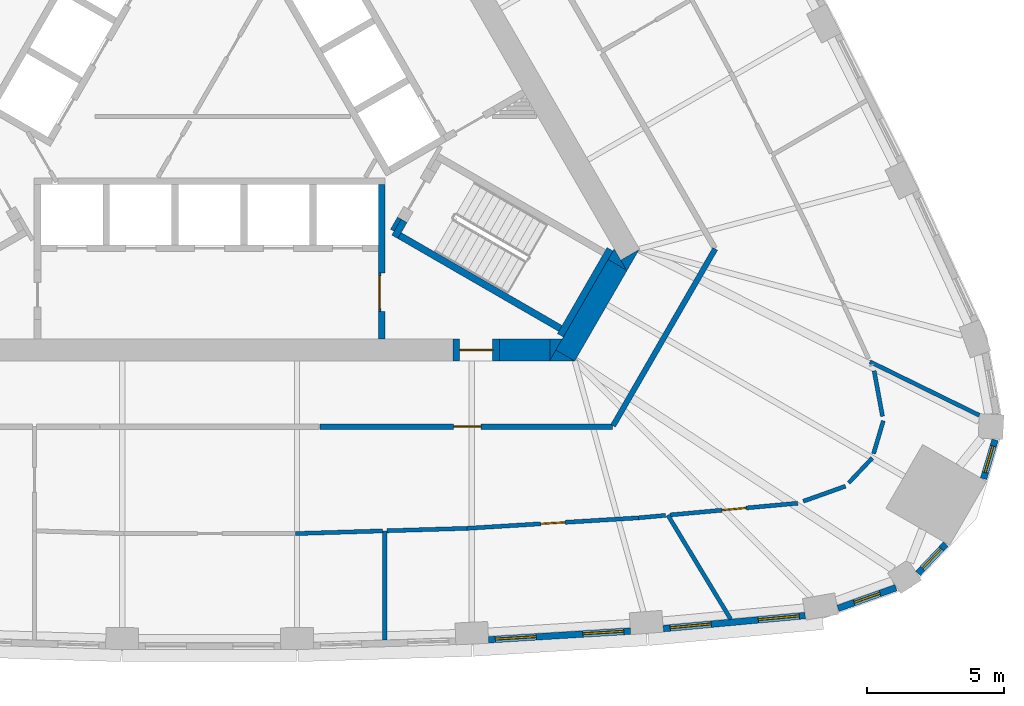
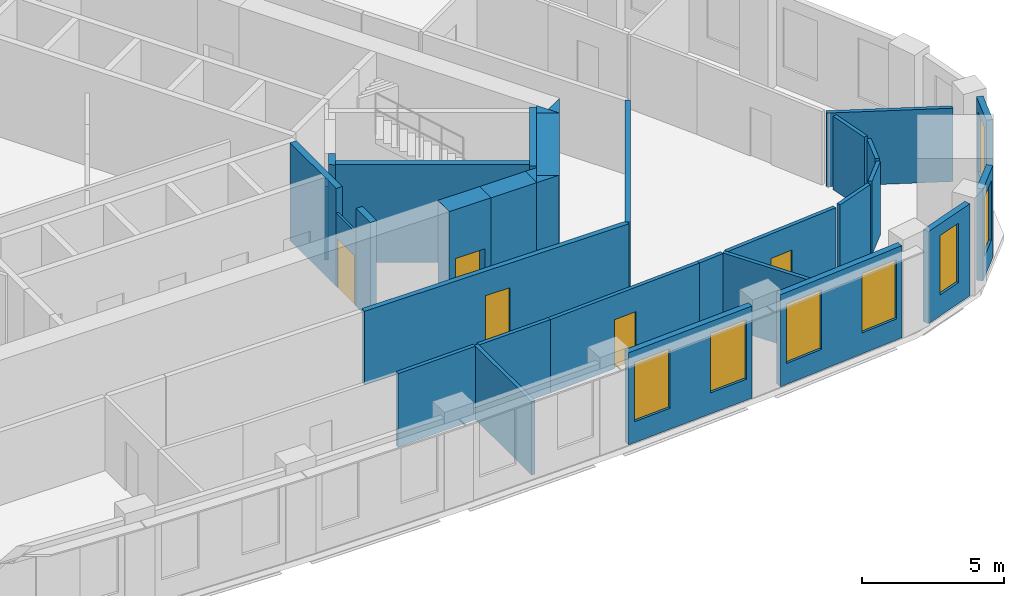
# One storey, part 6 of 11: 33 walls, 7 windows, 5 doors, 12 openings.
"""IFC4 building model written with IfcOpenShell, lengths in metres."""

from ifc_helpers import new_model, si_unit, direction, frame, frame_2d, origin, place, context, subcontext, project, spatial, polyline, rectangle, outline, extrude, material, layer, layer_set, type_object, element, fill, save


model = new_model("IFC4")

# Units and contexts
model_context = context("Model", 3, precision=1e-05, world=origin(), true_north=direction((0.0, 1.0)))
body_context = subcontext(model_context, "Body", "Model", "MODEL_VIEW")
ifc_project = project(units=[si_unit("LENGTHUNIT", "METRE"), si_unit("AREAUNIT", "SQUARE_METRE"), si_unit("VOLUMEUNIT", "CUBIC_METRE"), si_unit("PLANEANGLEUNIT", "RADIAN"), si_unit("MASSUNIT", "GRAM", prefix="KILO")], contexts=[model_context])

# Site, building, storey
site_placement = place(None, origin())
site = spatial("IfcSite", under=ifc_project, at=site_placement, CompositionType="ELEMENT")
building_placement = place(site_placement, origin())
building = spatial("IfcBuilding", under=site, at=building_placement, Name="Mestral Congress Tower", CompositionType="ELEMENT")
storey_placement = place(building_placement, frame((0.0, 0.0, 166.800048828125)))
storey = spatial("IfcBuildingStorey", under=building, at=storey_placement, Name="L39", CompositionType="ELEMENT", Elevation=166.800048828125)

# Wall
ifc_material_1 = material(Name="Fire-rated board partition")
ifc_layer_1 = layer(ifc_material_1, 0.14990234375)
ifc_layer_set_1 = layer_set([ifc_layer_1], Name="Fire-rated board partition")
wall_type_1 = type_object("IfcWallType", Name="Core partition 150", PredefinedType="PARTITIONING", material=ifc_layer_set_1)
wall_1_placement = place(storey_placement, frame((6.94482421875, -5.22216796875, 0.0), z_axis=(0.0, 0.0, 1.0), x_axis=(-0.499818422106, -0.866130212453, 0.0)))
element("IfcWall", 1, at=wall_1_placement, inside=storey, type_object=wall_type_1, Name="L39 core wall", PredefinedType="PARTITIONING", context=body_context, shape_type="SweptSolid", body=[
    extrude(rectangle(XDim=0.513916015625, YDim=0.14990234375, at=frame_2d((0.2568359375, 0.0))), origin(), (0.0, 0.0, 1.0), 3.14990234375),
])

# Wall, opening, door
ifc_layer_2 = layer(ifc_material_1, 0.090087890625)
ifc_layer_set_2 = layer_set([ifc_layer_2], Name="Fire-rated board partition")
wall_type_2 = type_object("IfcWallType", Name="Core partition 150 door-wall 90", PredefinedType="PARTITIONING", material=ifc_layer_set_2)
wall_2_placement = place(storey_placement, frame((6.219970703125, -7.23681640625, 0.0), z_axis=(0.0, 0.0, 1.0), x_axis=(0.0, -1.0, 0.0)))
wall_2 = element("IfcWall", 2, at=wall_2_placement, inside=storey, type_object=wall_type_2, Name="L39 door wall", PredefinedType="PARTITIONING", context=body_context, shape_type="SweptSolid", body=[
    extrude(rectangle(XDim=1.400146484375, YDim=0.090087890625, at=frame_2d((0.7001953125, 0.0))), origin(), (0.0, 0.0, 1.0), 3.14990234375),
])
opening_1_placement = place(wall_2_placement, frame((0.10009765625, 0.0, 0.0)))
opening_1 = element("IfcOpeningElement", 3, at=opening_1_placement, cuts=wall_2, Name="Opening LB0-WL1", PredefinedType="OPENING", context=body_context, shape_type="SweptSolid", body=[
    extrude(rectangle(XDim=1.199951171875, YDim=2.10009765625, at=frame_2d((0.60009765625, 1.050048828125))), frame((0.0, 0.054931640625, 0.0), z_axis=(0.0, -1.0, 0.0), x_axis=(1.0, 0.0, 0.0)), (0.0, 0.0, 1.0), 0.110107421875),
])
ifc_material_2 = material(Name="Fire-rated steel door set", Category="steel")
door_type_1 = type_object("IfcDoorType", Name="Core door LB 1200x2100", OperationType="SINGLE_SWING_LEFT", PredefinedType="DOOR", material=ifc_material_2)
door_1_placement = place(opening_1_placement, origin())
door_1 = element("IfcDoor", 4, at=door_1_placement, inside=storey, type_object=door_type_1, Name="Door LB0-WL1", OperationType="SINGLE_SWING_LEFT", OverallHeight=2.10009765625, OverallWidth=1.199951171875, PredefinedType="DOOR", context=body_context, shape_type="SweptSolid", body=[
    extrude(rectangle(XDim=1.199951171875, YDim=2.10009765625, at=frame_2d((0.60009765625, 1.050048828125))), frame((0.0, 0.02490234375, 0.0), z_axis=(0.0, -1.0, 0.0), x_axis=(1.0, 0.0, 0.0)), (0.0, 0.0, 1.0), 0.050048828125),
])
fill(opening_1, door_1)

# Walls
ifc_material_3 = material(Name="Concrete C60/75", Category="concrete")
ifc_layer_3 = layer(ifc_material_3, 0.800048828125)
ifc_layer_set_3 = layer_set([ifc_layer_3], Name="Concrete C60/75")
wall_type_3 = type_object("IfcWallType", Name="Core wall RC 800", PredefinedType="SOLIDWALL", material=ifc_layer_set_3)
placement = place(storey_placement, origin())
element("IfcWall", 5, at=placement, inside=storey, type_object=wall_type_3, Name="L39 core wall", PredefinedType="SOLIDWALL", context=body_context, shape_type="SweptSolid", body=[
    extrude(outline(polyline([(15.27099609375, -7.14990234375), (15.046875, -6.761962890625), (15.718994140625, -6.3740234375), (15.27099609375, -7.14990234375)])), origin(), (0.0, 0.0, 1.0), 4.199951171875),
])
wall_4_placement = place(storey_placement, frame((13.018310546875, -10.251708984375, 0.0), z_axis=(0.0, 0.0, 1.0), x_axis=(0.499984020225, 0.866034629516, 0.0)))
element("IfcWall", 6, at=wall_4_placement, inside=storey, type_object=wall_type_3, Name="L39 core wall", PredefinedType="SOLIDWALL", context=body_context, shape_type="SweptSolid", body=[
    extrude(rectangle(XDim=3.824462890625, YDim=0.800048828125, at=frame_2d((1.912109375, 0.0))), origin(), (0.0, 0.0, 1.0), 4.199951171875),
])
element("IfcWall", 7, at=placement, inside=storey, type_object=wall_type_3, Name="L39 core wall", PredefinedType="SOLIDWALL", context=body_context, shape_type="SweptSolid", body=[
    extrude(outline(polyline([(12.44189453125, -10.449951171875), (12.6708984375, -10.053466796875), (13.35791015625, -10.449951171875), (12.44189453125, -10.449951171875)])), origin(), (0.0, 0.0, 1.0), 4.199951171875),
])
element("IfcWall", 8, at=placement, inside=storey, type_object=wall_type_3, Name="L39 core wall", PredefinedType="SOLIDWALL", context=body_context, shape_type="SweptSolid", body=[
    extrude(outline(polyline([(14.80908203125, -6.35009765625), (15.257080078125, -7.1259765625), (14.5849609375, -6.738037109375), (14.80908203125, -6.35009765625)])), origin(), (0.0, 0.0, 1.0), 4.199951171875),
])
wall_7_placement = place(storey_placement, frame((10.6044921875, -10.050048828125, 0.0), z_axis=(0.0, 0.0, 1.0), x_axis=(1.0, 0.0, 0.0)))
element("IfcWall", 9, at=wall_7_placement, inside=storey, type_object=wall_type_3, Name="L39 core wall", PredefinedType="SOLIDWALL", context=body_context, shape_type="SweptSolid", body=[
    extrude(rectangle(XDim=1.849365234375, YDim=0.800048828125, at=frame_2d((0.9248046875, 0.0))), origin(), (0.0, 0.0, 1.0), 4.199951171875),
])
element("IfcWall", 10, at=placement, inside=storey, type_object=wall_type_3, Name="L39 core wall", PredefinedType="SOLIDWALL", context=body_context, shape_type="SweptSolid", body=[
    extrude(outline(polyline([(12.90380859375, -9.64990234375), (12.455810546875, -10.42578125), (12.455810546875, -9.64990234375), (12.90380859375, -9.64990234375)])), origin(), (0.0, 0.0, 1.0), 4.199951171875),
])

# Wall, opening, door
wall_9_placement = place(storey_placement, frame((10.6044921875, -10.050048828125, 0.0), z_axis=(0.0, 0.0, 1.0), x_axis=(-1.0, 0.0, 0.0)))
wall_9 = element("IfcWall", 11, at=wall_9_placement, inside=storey, type_object=wall_type_3, Name="L39 door wall", PredefinedType="SOLIDWALL", context=body_context, shape_type="SweptSolid", body=[
    extrude(rectangle(XDim=1.699951171875, YDim=0.800048828125, at=frame_2d((0.85009765625, 0.0))), origin(), (0.0, 0.0, 1.0), 4.199951171875),
])
opening_2_placement = place(wall_9_placement, frame((0.25, 0.0, 0.0)))
opening_2 = element("IfcOpeningElement", 12, at=opening_2_placement, cuts=wall_9, Name="Opening XD1", PredefinedType="OPENING", context=body_context, shape_type="SweptSolid", body=[
    extrude(rectangle(XDim=1.199951171875, YDim=2.10009765625, at=frame_2d((0.60009765625, 1.050048828125))), frame((0.0, 0.409912109375, 0.0), z_axis=(0.0, -1.0, 0.0), x_axis=(1.0, 0.0, 0.0)), (0.0, 0.0, 1.0), 0.820068359375),
])
door_type_2 = type_object("IfcDoorType", Name="Core door XD 1200x2100", OperationType="SINGLE_SWING_LEFT", PredefinedType="DOOR", material=ifc_material_2)
door_2_placement = place(opening_2_placement, origin())
door_2 = element("IfcDoor", 13, at=door_2_placement, inside=storey, type_object=door_type_2, Name="Door XD1", OperationType="SINGLE_SWING_LEFT", OverallHeight=2.10009765625, OverallWidth=1.199951171875, PredefinedType="DOOR", context=body_context, shape_type="SweptSolid", body=[
    extrude(rectangle(XDim=1.199951171875, YDim=2.10009765625, at=frame_2d((0.60009765625, 1.050048828125))), frame((0.0, 0.02490234375, 0.0), z_axis=(0.0, -1.0, 0.0), x_axis=(1.0, 0.0, 0.0)), (0.0, 0.0, 1.0), 0.050048828125),
])
fill(opening_2, door_2)

# Wall, openings, windows
ifc_material_4 = material(Name="Precast concrete C40/50 with limestone facing", Category="masonry")
ifc_layer_4 = layer(ifc_material_4, 0.239990234375)
ifc_layer_set_4 = layer_set([ifc_layer_4], Name="Precast concrete C40/50 with limestone facing")
wall_type_4 = type_object("IfcWallType", Name="Facade stone wall 240", PredefinedType="SOLIDWALL", material=ifc_layer_set_4)
wall_10_placement = place(storey_placement, frame((10.210693359375, -20.656005859375, 0.0), z_axis=(0.0, 0.0, 1.0), x_axis=(0.998135294646, 0.061040425794, 0.0)))
wall_10 = element("IfcWall", 14, at=wall_10_placement, inside=storey, type_object=wall_type_4, Name="Facade wall F0-05", PredefinedType="SOLIDWALL", context=body_context, shape_type="SweptSolid", body=[
    extrude(rectangle(XDim=5.20361328125, YDim=0.239990234375, at=frame_2d((2.601806640625, 0.0))), origin(), (0.0, 0.0, 1.0), 3.949951171875),
])
opening_3_placement = place(wall_10_placement, frame((0.248291015625, 0.0, 0.89990234375)))
opening_3 = element("IfcOpeningElement", 15, at=opening_3_placement, cuts=wall_10, Name="Opening W4", PredefinedType="OPENING", context=body_context, shape_type="SweptSolid", body=[
    extrude(rectangle(XDim=1.5, YDim=2.550048828125, at=frame_2d((0.75, 1.27490234375))), frame((0.0, 0.1298828125, 0.0), z_axis=(0.0, -1.0, 0.0), x_axis=(1.0, 0.0, 0.0)), (0.0, 0.0, 1.0), 0.260009765625),
])
opening_4_placement = place(wall_10_placement, frame((3.455078125, 0.0, 0.89990234375)))
opening_4 = element("IfcOpeningElement", 16, at=opening_4_placement, cuts=wall_10, Name="Opening W4", PredefinedType="OPENING", context=body_context, shape_type="SweptSolid", body=[
    extrude(rectangle(XDim=1.5, YDim=2.550048828125, at=frame_2d((0.75, 1.27490234375))), frame((0.0, 0.1298828125, 0.0), z_axis=(0.0, -1.0, 0.0), x_axis=(1.0, 0.0, 0.0)), (0.0, 0.0, 1.0), 0.260009765625),
])
ifc_material_5 = material(Name="Clear low-emissivity double glazing", Category="glass")
window_type_1 = type_object("IfcWindowType", Name="Facade punched window 1500 x 2550 sill 900", PartitioningType="SINGLE_PANEL", PredefinedType="WINDOW", material=ifc_material_5)
window_1_placement = place(opening_3_placement, origin())
window_1 = element("IfcWindow", 17, at=window_1_placement, inside=storey, type_object=window_type_1, Name="Window F0-05a", OverallHeight=2.550048828125, OverallWidth=1.5, PartitioningType="SINGLE_PANEL", PredefinedType="WINDOW", context=body_context, shape_type="SweptSolid", body=[
    extrude(rectangle(XDim=1.5, YDim=2.550048828125, at=frame_2d((0.75, 1.27490234375))), frame((0.0, 0.0400390625, 0.0), z_axis=(0.0, -1.0, 0.0), x_axis=(1.0, 0.0, 0.0)), (0.0, 0.0, 1.0), 0.06005859375),
])
fill(opening_3, window_1)
window_2_placement = place(opening_4_placement, origin())
window_2 = element("IfcWindow", 18, at=window_2_placement, inside=storey, type_object=window_type_1, Name="Window F0-05b", OverallHeight=2.550048828125, OverallWidth=1.5, PartitioningType="SINGLE_PANEL", PredefinedType="WINDOW", context=body_context, shape_type="SweptSolid", body=[
    extrude(rectangle(XDim=1.5, YDim=2.550048828125, at=frame_2d((0.75, 1.27490234375))), frame((0.0, 0.0400390625, 0.0), z_axis=(0.0, -1.0, 0.0), x_axis=(1.0, 0.0, 0.0)), (0.0, 0.0, 1.0), 0.06005859375),
])
fill(opening_4, window_2)

wall_11_placement = place(storey_placement, frame((16.605712890625, -20.24658203125, 0.0), z_axis=(0.0, 0.0, 1.0), x_axis=(0.995808712151, 0.091460422067, 0.0)))
wall_11 = element("IfcWall", 19, at=wall_11_placement, inside=storey, type_object=wall_type_4, Name="Facade wall F0-06", PredefinedType="SOLIDWALL", context=body_context, shape_type="SweptSolid", body=[
    extrude(rectangle(XDim=5.213134765625, YDim=0.239990234375, at=frame_2d((2.6064453125, 0.0))), origin(), (0.0, 0.0, 1.0), 3.949951171875),
])
opening_5_placement = place(wall_11_placement, frame((0.2607421875, 0.0, 0.89990234375)))
opening_5 = element("IfcOpeningElement", 20, at=opening_5_placement, cuts=wall_11, Name="Opening W4", PredefinedType="OPENING", context=body_context, shape_type="SweptSolid", body=[
    extrude(rectangle(XDim=1.5, YDim=2.550048828125, at=frame_2d((0.75, 1.27490234375))), frame((0.0, 0.1298828125, 0.0), z_axis=(0.0, -1.0, 0.0), x_axis=(1.0, 0.0, 0.0)), (0.0, 0.0, 1.0), 0.260009765625),
])
opening_6_placement = place(wall_11_placement, frame((3.492431640625, 0.0, 0.89990234375)))
opening_6 = element("IfcOpeningElement", 21, at=opening_6_placement, cuts=wall_11, Name="Opening W4", PredefinedType="OPENING", context=body_context, shape_type="SweptSolid", body=[
    extrude(rectangle(XDim=1.5, YDim=2.550048828125, at=frame_2d((0.75, 1.27490234375))), frame((0.0, 0.1298828125, 0.0), z_axis=(0.0, -1.0, 0.0), x_axis=(1.0, 0.0, 0.0)), (0.0, 0.0, 1.0), 0.260009765625),
])
window_3_placement = place(opening_5_placement, origin())
window_3 = element("IfcWindow", 22, at=window_3_placement, inside=storey, type_object=window_type_1, Name="Window F0-06a", OverallHeight=2.550048828125, OverallWidth=1.5, PartitioningType="SINGLE_PANEL", PredefinedType="WINDOW", context=body_context, shape_type="SweptSolid", body=[
    extrude(rectangle(XDim=1.5, YDim=2.550048828125, at=frame_2d((0.75, 1.27490234375))), frame((0.0, 0.0400390625, 0.0), z_axis=(0.0, -1.0, 0.0), x_axis=(1.0, 0.0, 0.0)), (0.0, 0.0, 1.0), 0.06005859375),
])
fill(opening_5, window_3)
window_4_placement = place(opening_6_placement, origin())
window_4 = element("IfcWindow", 23, at=window_4_placement, inside=storey, type_object=window_type_1, Name="Window F0-06b", OverallHeight=2.550048828125, OverallWidth=1.5, PartitioningType="SINGLE_PANEL", PredefinedType="WINDOW", context=body_context, shape_type="SweptSolid", body=[
    extrude(rectangle(XDim=1.5, YDim=2.550048828125, at=frame_2d((0.75, 1.27490234375))), frame((0.0, 0.0400390625, 0.0), z_axis=(0.0, -1.0, 0.0), x_axis=(1.0, 0.0, 0.0)), (0.0, 0.0, 1.0), 0.06005859375),
])
fill(opening_6, window_4)

# Wall, opening, window
wall_12_placement = place(storey_placement, frame((23.0009765625, -19.50537109375, 0.0), z_axis=(0.0, 0.0, 1.0), x_axis=(0.942099727267, 0.335332825539, 0.0)))
wall_12 = element("IfcWall", 24, at=wall_12_placement, inside=storey, type_object=wall_type_4, Name="Facade wall K0-0", PredefinedType="SOLIDWALL", context=body_context, shape_type="SweptSolid", body=[
    extrude(rectangle(XDim=2.25048828125, YDim=0.239990234375, at=frame_2d((1.125244140625, 0.0))), origin(), (0.0, 0.0, 1.0), 3.949951171875),
])
opening_7_placement = place(wall_12_placement, frame((0.625244140625, 0.0, 0.89990234375)))
opening_7 = element("IfcOpeningElement", 25, at=opening_7_placement, cuts=wall_12, Name="Opening W5", PredefinedType="OPENING", context=body_context, shape_type="SweptSolid", body=[
    extrude(rectangle(XDim=1.0, YDim=2.550048828125, at=frame_2d((0.5, 1.27490234375))), frame((0.0, 0.1298828125, 0.0), z_axis=(0.0, -1.0, 0.0), x_axis=(1.0, 0.0, 0.0)), (0.0, 0.0, 1.0), 0.260009765625),
])
window_type_2 = type_object("IfcWindowType", Name="Facade punched window 1000 x 2550 sill 900", PartitioningType="SINGLE_PANEL", PredefinedType="WINDOW", material=ifc_material_5)
window_5_placement = place(opening_7_placement, origin())
window_5 = element("IfcWindow", 26, at=window_5_placement, inside=storey, type_object=window_type_2, Name="Window K0-0", OverallHeight=2.550048828125, OverallWidth=1.0, PartitioningType="SINGLE_PANEL", PredefinedType="WINDOW", context=body_context, shape_type="SweptSolid", body=[
    extrude(rectangle(XDim=1.0, YDim=2.550048828125, at=frame_2d((0.5, 1.27490234375))), frame((0.0, 0.0400390625, 0.0), z_axis=(0.0, -1.0, 0.0), x_axis=(1.0, 0.0, 0.0)), (0.0, 0.0, 1.0), 0.06005859375),
])
fill(opening_7, window_5)

wall_13_placement = place(storey_placement, frame((25.9267578125, -18.226318359375, 0.0), z_axis=(0.0, 0.0, 1.0), x_axis=(0.687986858937, 0.725723144133, 0.0)))
wall_13 = element("IfcWall", 27, at=wall_13_placement, inside=storey, type_object=wall_type_4, Name="Facade wall K0-1", PredefinedType="SOLIDWALL", context=body_context, shape_type="SweptSolid", body=[
    extrude(rectangle(XDim=1.4814453125, YDim=0.239990234375, at=frame_2d((0.74072265625, 0.0))), origin(), (0.0, 0.0, 1.0), 3.949951171875),
])
opening_8_placement = place(wall_13_placement, frame((0.24072265625, 0.0, 0.89990234375)))
opening_8 = element("IfcOpeningElement", 28, at=opening_8_placement, cuts=wall_13, Name="Opening W5", PredefinedType="OPENING", context=body_context, shape_type="SweptSolid", body=[
    extrude(rectangle(XDim=1.0, YDim=2.550048828125, at=frame_2d((0.5, 1.27490234375))), frame((0.0, 0.1298828125, 0.0), z_axis=(0.0, -1.0, 0.0), x_axis=(1.0, 0.0, 0.0)), (0.0, 0.0, 1.0), 0.260009765625),
])
window_6_placement = place(opening_8_placement, origin())
window_6 = element("IfcWindow", 29, at=window_6_placement, inside=storey, type_object=window_type_2, Name="Window K0-1", OverallHeight=2.550048828125, OverallWidth=1.0, PartitioningType="SINGLE_PANEL", PredefinedType="WINDOW", context=body_context, shape_type="SweptSolid", body=[
    extrude(rectangle(XDim=1.0, YDim=2.550048828125, at=frame_2d((0.5, 1.27490234375))), frame((0.0, 0.0400390625, 0.0), z_axis=(0.0, -1.0, 0.0), x_axis=(1.0, 0.0, 0.0)), (0.0, 0.0, 1.0), 0.06005859375),
])
fill(opening_8, window_6)

wall_14_placement = place(storey_placement, frame((28.326416015625, -14.760498046875, 0.0), z_axis=(0.0, 0.0, 1.0), x_axis=(0.284413721403, 0.958701640281, 0.0)))
wall_14 = element("IfcWall", 30, at=wall_14_placement, inside=storey, type_object=wall_type_4, Name="Facade wall K0-2", PredefinedType="SOLIDWALL", context=body_context, shape_type="SweptSolid", body=[
    extrude(rectangle(XDim=1.481689453125, YDim=0.239990234375, at=frame_2d((0.74072265625, 0.0))), origin(), (0.0, 0.0, 1.0), 3.949951171875),
])
opening_9_placement = place(wall_14_placement, frame((0.24072265625, 0.0, 0.89990234375)))
opening_9 = element("IfcOpeningElement", 31, at=opening_9_placement, cuts=wall_14, Name="Opening W5", PredefinedType="OPENING", context=body_context, shape_type="SweptSolid", body=[
    extrude(rectangle(XDim=1.0, YDim=2.550048828125, at=frame_2d((0.5, 1.27490234375))), frame((0.0, 0.1298828125, 0.0), z_axis=(0.0, -1.0, 0.0), x_axis=(1.0, 0.0, 0.0)), (0.0, 0.0, 1.0), 0.260009765625),
])
window_7_placement = place(opening_9_placement, origin())
window_7 = element("IfcWindow", 32, at=window_7_placement, inside=storey, type_object=window_type_2, Name="Window K0-2", OverallHeight=2.550048828125, OverallWidth=1.0, PartitioningType="SINGLE_PANEL", PredefinedType="WINDOW", context=body_context, shape_type="SweptSolid", body=[
    extrude(rectangle(XDim=1.0, YDim=2.550048828125, at=frame_2d((0.5, 1.27490234375))), frame((0.0, 0.0400390625, 0.0), z_axis=(0.0, -1.0, 0.0), x_axis=(1.0, 0.0, 0.0)), (0.0, 0.0, 1.0), 0.06005859375),
])
fill(opening_9, window_7)

# Walls
ifc_material_6 = material(Name="Plasterboard partition on steel studs", Category="steel")
ifc_layer_5 = layer(ifc_material_6, 0.14990234375)
ifc_layer_set_5 = layer_set([ifc_layer_5], Name="Plasterboard partition on steel studs")
wall_type_5 = type_object("IfcWallType", Name="Office partition 150", PredefinedType="PARTITIONING", material=ifc_layer_set_5)
wall_15_placement = place(storey_placement, frame((6.412109375, -16.668212890625, 0.0), z_axis=(0.0, 0.0, 1.0), x_axis=(0.0, -1.0, 0.0)))
element("IfcWall", 33, at=wall_15_placement, inside=storey, type_object=wall_type_5, Name="Partition", PredefinedType="PARTITIONING", context=body_context, shape_type="SweptSolid", body=[
    extrude(rectangle(XDim=4.001953125, YDim=0.14990234375, at=frame_2d((2.0009765625, 0.0))), origin(), (0.0, 0.0, 1.0), 3.14990234375),
])
wall_16_placement = place(storey_placement, frame((3.141357421875, -16.768310546875, 0.0), z_axis=(0.0, 0.0, 1.0), x_axis=(0.999533369646, 0.030545751995, 0.0)))
element("IfcWall", 34, at=wall_16_placement, inside=storey, type_object=wall_type_5, Name="Partition", PredefinedType="PARTITIONING", context=body_context, shape_type="SweptSolid", body=[
    extrude(rectangle(XDim=3.197021484375, YDim=0.14990234375, at=frame_2d((1.5986328125, 0.0))), origin(), (0.0, 0.0, 1.0), 3.14990234375),
])
wall_17_placement = place(storey_placement, frame((16.772705078125, -16.093994140625, 0.0), z_axis=(0.0, 0.0, 1.0), x_axis=(0.516844039178, -0.856079575253, 0.0)))
element("IfcWall", 35, at=wall_17_placement, inside=storey, type_object=wall_type_5, Name="Partition", PredefinedType="PARTITIONING", context=body_context, shape_type="SweptSolid", body=[
    extrude(rectangle(XDim=4.445556640625, YDim=0.14990234375, at=frame_2d((2.22265625, 0.0))), origin(), (0.0, 0.0, 1.0), 3.14990234375),
])
wall_18_placement = place(storey_placement, frame((6.487060546875, -16.666015625, 0.0), z_axis=(0.0, 0.0, 1.0), x_axis=(0.999533978083, 0.030525835896, 0.0)))
element("IfcWall", 36, at=wall_18_placement, inside=storey, type_object=wall_type_5, Name="Partition", PredefinedType="PARTITIONING", context=body_context, shape_type="SweptSolid", body=[
    extrude(rectangle(XDim=2.935302734375, YDim=0.14990234375, at=frame_2d((1.4677734375, 0.0))), origin(), (0.0, 0.0, 1.0), 3.14990234375),
])

# Wall, opening, door
wall_19_placement = place(storey_placement, frame((15.691650390625, -16.193115234375, 0.0), z_axis=(0.0, 0.0, 1.0), x_axis=(-0.998137075468, -0.061011298754, 0.0)))
wall_19 = element("IfcWall", 37, at=wall_19_placement, inside=storey, type_object=wall_type_5, Name="Partition", PredefinedType="PARTITIONING", context=body_context, shape_type="SweptSolid", body=[
    extrude(rectangle(XDim=6.282470703125, YDim=0.14990234375, at=frame_2d((3.14111328125, 0.0))), origin(), (0.0, 0.0, 1.0), 3.14990234375),
])
opening_10_placement = place(wall_19_placement, frame((2.6826171875, 0.0, 0.0)))
opening_10 = element("IfcOpeningElement", 38, at=opening_10_placement, cuts=wall_19, Name="Opening O03-003", PredefinedType="OPENING", context=body_context, shape_type="SweptSolid", body=[
    extrude(rectangle(XDim=0.89990234375, YDim=2.10009765625, at=frame_2d((0.449951171875, 1.050048828125))), frame((0.0, 0.0849609375, 0.0), z_axis=(0.0, -1.0, 0.0), x_axis=(1.0, 0.0, 0.0)), (0.0, 0.0, 1.0), 0.169921875),
])
ifc_material_7 = material(Name="Timber door set", Category="wood")
door_type_3 = type_object("IfcDoorType", Name="Office door 900x2100", OperationType="SINGLE_SWING_LEFT", PredefinedType="DOOR", material=ifc_material_7)
door_3_placement = place(opening_10_placement, origin())
door_3 = element("IfcDoor", 39, at=door_3_placement, inside=storey, type_object=door_type_3, Name="Door O03-003", OperationType="SINGLE_SWING_LEFT", OverallHeight=2.10009765625, OverallWidth=0.89990234375, PredefinedType="DOOR", context=body_context, shape_type="SweptSolid", body=[
    extrude(rectangle(XDim=0.89990234375, YDim=2.10009765625, at=frame_2d((0.449951171875, 1.050048828125))), frame((0.0, 0.02490234375, 0.0), z_axis=(0.0, -1.0, 0.0), x_axis=(1.0, 0.0, 0.0)), (0.0, 0.0, 1.0), 0.050048828125),
])
fill(opening_10, door_3)

# Walls
wall_20_placement = place(storey_placement, frame((15.691650390625, -16.193115234375, 0.0), z_axis=(0.0, 0.0, 1.0), x_axis=(0.995818997537, 0.091348366946, 0.0)))
element("IfcWall", 40, at=wall_20_placement, inside=storey, type_object=wall_type_5, Name="Partition", PredefinedType="PARTITIONING", context=body_context, shape_type="SweptSolid", body=[
    extrude(rectangle(XDim=1.002197265625, YDim=0.14990234375, at=frame_2d((0.5009765625, 0.0))), origin(), (0.0, 0.0, 1.0), 3.14990234375),
])
wall_21_placement = place(storey_placement, frame((24.1689453125, -10.479736328125, 0.0), z_axis=(0.0, 0.0, 1.0), x_axis=(0.898142173557, -0.439705169491, 0.0)))
element("IfcWall", 41, at=wall_21_placement, inside=storey, type_object=wall_type_5, Name="Partition", PredefinedType="PARTITIONING", context=body_context, shape_type="SweptSolid", body=[
    extrude(rectangle(XDim=4.45751953125, YDim=0.14990234375, at=frame_2d((2.228759765625, 0.0))), origin(), (0.0, 0.0, 1.0), 3.14990234375),
])

# Wall, opening, door
wall_22_placement = place(storey_placement, frame((21.525146484375, -15.657470703125, 0.0), z_axis=(0.0, 0.0, 1.0), x_axis=(-0.99581172086, -0.091427657734, 0.0)))
wall_22 = element("IfcWall", 42, at=wall_22_placement, inside=storey, type_object=wall_type_5, Name="Partition", PredefinedType="PARTITIONING", context=body_context, shape_type="SweptSolid", body=[
    extrude(rectangle(XDim=4.68896484375, YDim=0.14990234375, at=frame_2d((2.344482421875, 0.0))), origin(), (0.0, 0.0, 1.0), 3.14990234375),
])
opening_11_placement = place(wall_22_placement, frame((1.888916015625, 0.0, 0.0)))
opening_11 = element("IfcOpeningElement", 43, at=opening_11_placement, cuts=wall_22, Name="Opening O03-004", PredefinedType="OPENING", context=body_context, shape_type="SweptSolid", body=[
    extrude(rectangle(XDim=0.89990234375, YDim=2.10009765625, at=frame_2d((0.449951171875, 1.050048828125))), frame((0.0, 0.0849609375, 0.0), z_axis=(0.0, -1.0, 0.0), x_axis=(1.0, 0.0, 0.0)), (0.0, 0.0, 1.0), 0.169921875),
])
door_4_placement = place(opening_11_placement, origin())
door_4 = element("IfcDoor", 44, at=door_4_placement, inside=storey, type_object=door_type_3, Name="Door O03-004", OperationType="SINGLE_SWING_LEFT", OverallHeight=2.10009765625, OverallWidth=0.89990234375, PredefinedType="DOOR", context=body_context, shape_type="SweptSolid", body=[
    extrude(rectangle(XDim=0.89990234375, YDim=2.10009765625, at=frame_2d((0.449951171875, 1.050048828125))), frame((0.0, 0.02490234375, 0.0), z_axis=(0.0, -1.0, 0.0), x_axis=(1.0, 0.0, 0.0)), (0.0, 0.0, 1.0), 0.050048828125),
])
fill(opening_11, door_4)

# Walls
wall_23_placement = place(storey_placement, frame((21.72705078125, -15.585693359375, 0.0), z_axis=(0.0, 0.0, 1.0), x_axis=(0.942087520852, 0.335367116835, 0.0)))
element("IfcWall", 45, at=wall_23_placement, inside=storey, type_object=wall_type_5, Name="Partition", PredefinedType="PARTITIONING", context=body_context, shape_type="SweptSolid", body=[
    extrude(rectangle(XDim=1.643798828125, YDim=0.14990234375, at=frame_2d((0.82177734375, 0.0))), origin(), (0.0, 0.0, 1.0), 3.14990234375),
])
wall_24_placement = place(storey_placement, frame((23.389404296875, -14.914306640625, 0.0), z_axis=(0.0, 0.0, 1.0), x_axis=(0.688003360899, 0.725707499886, 0.0)))
element("IfcWall", 46, at=wall_24_placement, inside=storey, type_object=wall_type_5, Name="Partition", PredefinedType="PARTITIONING", context=body_context, shape_type="SweptSolid", body=[
    extrude(rectangle(XDim=1.256103515625, YDim=0.14990234375, at=frame_2d((0.6279296875, 0.0))), origin(), (0.0, 0.0, 1.0), 3.14990234375),
])
wall_25_placement = place(storey_placement, frame((24.30078125, -13.843994140625, 0.0), z_axis=(0.0, 0.0, 1.0), x_axis=(0.284386145133, 0.958709820778, 0.0)))
element("IfcWall", 47, at=wall_25_placement, inside=storey, type_object=wall_type_5, Name="Partition", PredefinedType="PARTITIONING", context=body_context, shape_type="SweptSolid", body=[
    extrude(rectangle(XDim=1.255859375, YDim=0.14990234375, at=frame_2d((0.6279296875, 0.0))), origin(), (0.0, 0.0, 1.0), 3.14990234375),
])
wall_26_placement = place(storey_placement, frame((24.628173828125, -12.477294921875, 0.0), z_axis=(0.0, 0.0, 1.0), x_axis=(-0.180725554657, 0.98353356521, 0.0)))
element("IfcWall", 48, at=wall_26_placement, inside=storey, type_object=wall_type_5, Name="Partition", PredefinedType="PARTITIONING", context=body_context, shape_type="SweptSolid", body=[
    extrude(rectangle(XDim=1.692626953125, YDim=0.14990234375, at=frame_2d((0.84619140625, 0.0))), origin(), (0.0, 0.0, 1.0), 3.14990234375),
])

# Wall, opening, door
ifc_material_8 = material(Name="Dense masonry wall, plastered", Category="masonry")
ifc_layer_6 = layer(ifc_material_8, 0.199951171875)
ifc_layer_set_6 = layer_set([ifc_layer_6], Name="Dense masonry wall, plastered")
wall_type_6 = type_object("IfcWallType", Name="Office tenancy wall 200", PredefinedType="PARTITIONING", material=ifc_layer_set_6)
wall_27_placement = place(storey_placement, frame((4.033935546875, -12.85009765625, 0.0), z_axis=(0.0, 0.0, 1.0), x_axis=(1.0, 0.0, 0.0)))
wall_27 = element("IfcWall", 49, at=wall_27_placement, inside=storey, type_object=wall_type_6, Name="Tenancy wall", PredefinedType="PARTITIONING", context=body_context, shape_type="SweptSolid", body=[
    extrude(rectangle(XDim=10.71728515625, YDim=0.199951171875, at=frame_2d((5.358642578125, 0.0))), origin(), (0.0, 0.0, 1.0), 3.14990234375),
])
opening_12_placement = place(wall_27_placement, frame((4.89990234375, 0.0, 0.0)))
opening_12 = element("IfcOpeningElement", 50, at=opening_12_placement, cuts=wall_27, Name="Opening O03-007", PredefinedType="OPENING", context=body_context, shape_type="SweptSolid", body=[
    extrude(rectangle(XDim=1.0, YDim=2.10009765625, at=frame_2d((0.5, 1.050048828125))), frame((0.0, 0.10986328125, 0.0), z_axis=(0.0, -1.0, 0.0), x_axis=(1.0, 0.0, 0.0)), (0.0, 0.0, 1.0), 0.219970703125),
])
ifc_material_9 = material(Name="Fire-rated timber door set", Category="wood")
door_type_4 = type_object("IfcDoorType", Name="Office tenancy entrance door 1000x2100", OperationType="SINGLE_SWING_LEFT", PredefinedType="DOOR", material=ifc_material_9)
door_5_placement = place(opening_12_placement, origin())
door_5 = element("IfcDoor", 51, at=door_5_placement, inside=storey, type_object=door_type_4, Name="Door O03-007", OperationType="SINGLE_SWING_RIGHT", OverallHeight=2.10009765625, OverallWidth=1.0, PredefinedType="DOOR", context=body_context, shape_type="SweptSolid", body=[
    extrude(rectangle(XDim=1.0, YDim=2.10009765625, at=frame_2d((0.5, 1.050048828125))), frame((0.0, 0.02490234375, 0.0), z_axis=(0.0, -1.0, 0.0), x_axis=(1.0, 0.0, 0.0)), (0.0, 0.0, 1.0), 0.050048828125),
])
fill(opening_12, door_5)

# Walls
wall_28_placement = place(storey_placement, frame((14.766357421875, -12.823974609375, 0.0), z_axis=(0.0, 0.0, 1.0), x_axis=(0.500009869004, 0.866019705837, 0.0)))
element("IfcWall", 52, at=wall_28_placement, inside=storey, type_object=wall_type_6, Name="Tenancy wall", PredefinedType="PARTITIONING", context=body_context, shape_type="SweptSolid", body=[
    extrude(rectangle(XDim=7.475341796875, YDim=0.199951171875, at=frame_2d((3.73779296875, 0.0))), origin(), (0.0, 0.0, 1.0), 3.14990234375),
])
ifc_layer_7 = layer(ifc_material_3, 0.25)
ifc_layer_set_7 = layer_set([ifc_layer_7], Name="Concrete C60/75")
wall_type_7 = type_object("IfcWallType", Name="Shaft wall RC 250", PredefinedType="SOLIDWALL", material=ifc_layer_set_7)
wall_29_placement = place(storey_placement, frame((6.300048828125, -7.239990234375, 0.0), z_axis=(0.0, 0.0, 1.0), x_axis=(0.0, 1.0, 0.0)))
element("IfcWall", 53, at=wall_29_placement, inside=storey, type_object=wall_type_7, Name="L39 core wall", PredefinedType="SOLIDWALL", context=body_context, shape_type="SweptSolid", body=[
    extrude(rectangle(XDim=3.239990234375, YDim=0.25, at=frame_2d((1.6201171875, 0.0))), origin(), (0.0, 0.0, 1.0), 4.199951171875),
])
wall_30_placement = place(storey_placement, frame((6.300048828125, -9.64990234375, 0.0), z_axis=(0.0, 0.0, 1.0), x_axis=(0.0, 1.0, 0.0)))
element("IfcWall", 54, at=wall_30_placement, inside=storey, type_object=wall_type_7, Name="L39 core wall", PredefinedType="SOLIDWALL", context=body_context, shape_type="SweptSolid", body=[
    extrude(rectangle(XDim=1.0078125, YDim=0.25, at=frame_2d((0.50390625, 0.0))), origin(), (0.0, 0.0, 1.0), 4.199951171875),
])
ifc_layer_8 = layer(ifc_material_3, 0.25)
ifc_layer_set_8 = layer_set([ifc_layer_8], Name="Concrete C60/75")
wall_type_8 = type_object("IfcWallType", Name="Stair wall RC 250", PredefinedType="SOLIDWALL", material=ifc_layer_set_8)
wall_31_placement = place(storey_placement, frame((12.839599609375, -9.510986328125, 0.0), z_axis=(0.0, 0.0, 1.0), x_axis=(0.499997733992, 0.866026712061, 0.0)))
element("IfcWall", 55, at=wall_31_placement, inside=storey, type_object=wall_type_8, Name="L39 core wall", PredefinedType="SOLIDWALL", context=body_context, shape_type="SweptSolid", body=[
    extrude(rectangle(XDim=3.6337890625, YDim=0.25, at=frame_2d((1.81689453125, 0.0))), origin(), (0.0, 0.0, 1.0), 4.199951171875),
])
wall_32_placement = place(storey_placement, frame((12.83984375, -9.2607421875, 0.0), z_axis=(0.0, 0.0, 1.0), x_axis=(-0.866013990052, 0.500019768644, 0.0)))
element("IfcWall", 56, at=wall_32_placement, inside=storey, type_object=wall_type_8, Name="L39 core wall", PredefinedType="SOLIDWALL", context=body_context, shape_type="SweptSolid", body=[
    extrude(rectangle(XDim=6.800048828125, YDim=0.25, at=frame_2d((3.39990234375, 0.0))), origin(), (0.0, 0.0, 1.0), 4.199951171875),
])
wall_33_placement = place(storey_placement, frame((6.780029296875, -5.906494140625, 0.0), z_axis=(0.0, 0.0, 1.0), x_axis=(0.500223362819, 0.865896406789, 0.0)))
element("IfcWall", 57, at=wall_33_placement, inside=storey, type_object=wall_type_8, Name="L39 core wall", PredefinedType="SOLIDWALL", context=body_context, shape_type="SweptSolid", body=[
    extrude(rectangle(XDim=0.675048828125, YDim=0.25, at=frame_2d((0.33740234375, 0.0))), origin(), (0.0, 0.0, 1.0), 4.199951171875),
])

save(model, "model.ifc")
